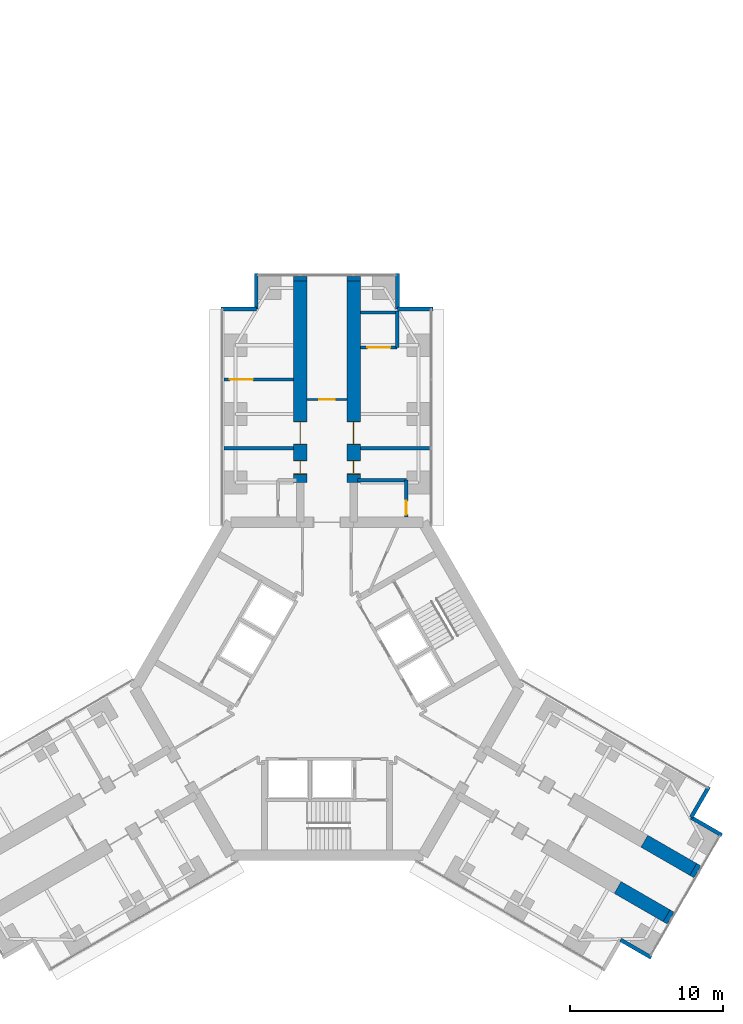
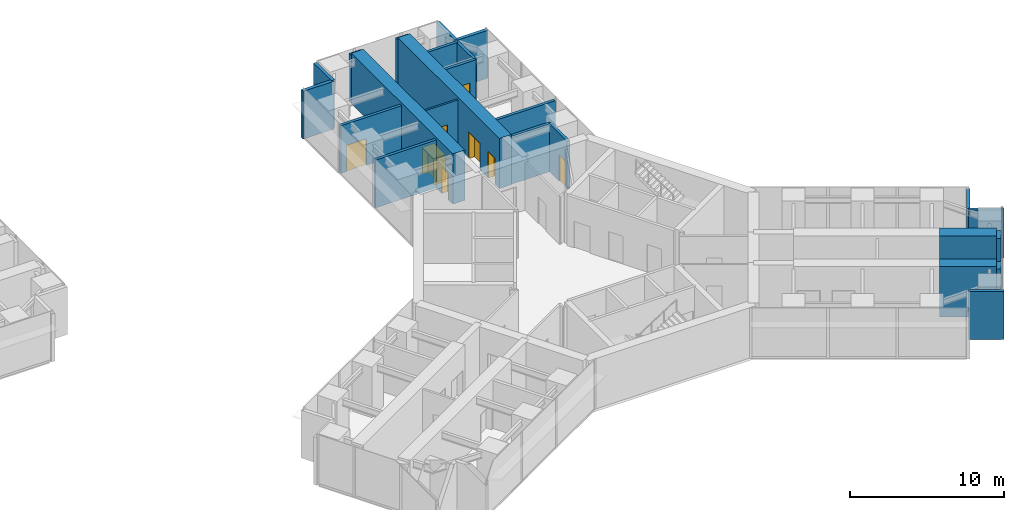
# One storey, part 21 of 23: 24 walls, 8 doors, 8 openings.
"""IFC4 building model written with IfcOpenShell, lengths in metres."""

from ifc_helpers import new_model, si_unit, direction, frame, frame_2d, origin, place, context, subcontext, project, spatial, rectangle, extrude, material, layer, layer_set, type_object, element, fill, save


model = new_model("IFC4")

# Units and contexts
model_context = context("Model", 3, precision=1e-05, world=origin(), true_north=direction((0.0, 1.0)))
body_context = subcontext(model_context, "Body", "Model", "MODEL_VIEW")
ifc_project = project(units=[si_unit("LENGTHUNIT", "METRE"), si_unit("AREAUNIT", "SQUARE_METRE"), si_unit("VOLUMEUNIT", "CUBIC_METRE"), si_unit("PLANEANGLEUNIT", "RADIAN"), si_unit("MASSUNIT", "GRAM", prefix="KILO")], contexts=[model_context])

# Site, building, storey
site_placement = place(None, origin())
site = spatial("IfcSite", under=ifc_project, at=site_placement, CompositionType="ELEMENT")
building_placement = place(site_placement, origin())
building = spatial("IfcBuilding", under=site, at=building_placement, Name="Upepo Twin Towers", CompositionType="ELEMENT")
storey_placement = place(building_placement, frame((0.0, 0.0, 32.5)))
storey = spatial("IfcBuildingStorey", under=building, at=storey_placement, Name="L07", CompositionType="ELEMENT", Elevation=32.5)

# Wall
ifc_material_1 = material(Name="Concrete blockwork, plastered both faces", Category="masonry")
ifc_layer_1 = layer(ifc_material_1, 0.215087890625)
ifc_layer_set_1 = layer_set([ifc_layer_1], Name="Blockwork partition 215")
wall_type_1 = type_object("IfcWallType", Name="Blockwork partition 215", PredefinedType="PARTITIONING", material=ifc_layer_set_1)
wall_1_placement = place(storey_placement, frame((56.300048828125, -2.25, 0.0), z_axis=(0.0, 0.0, 1.0), x_axis=(-1.0, 0.0, 0.0)))
element("IfcWall", 1, at=wall_1_placement, inside=storey, type_object=wall_type_1, Name="T2 partition AL at 15.75", PredefinedType="PARTITIONING", context=body_context, shape_type="SweptSolid", body=[
    extrude(rectangle(XDim=4.550048828125, YDim=0.215087890625, at=frame_2d((2.27490234375, 0.0))), origin(), (0.0, 0.0, 1.0), 3.800048828125),
])

# Wall, opening, door
wall_2_placement = place(storey_placement, frame((56.300048828125, 2.25, 0.0), z_axis=(0.0, 0.0, 1.0), x_axis=(-1.0, 0.0, 0.0)))
wall_2 = element("IfcWall", 2, at=wall_2_placement, inside=storey, type_object=wall_type_1, Name="T2 partition AL at 20.25", PredefinedType="PARTITIONING", context=body_context, shape_type="SweptSolid", body=[
    extrude(rectangle(XDim=4.550048828125, YDim=0.215087890625, at=frame_2d((2.27490234375, 0.0))), origin(), (0.0, 0.0, 1.0), 3.800048828125),
])
opening_1_placement = place(wall_2_placement, frame((2.64990234375, 0.0, 0.0)))
opening_1 = element("IfcOpeningElement", 3, at=opening_1_placement, cuts=wall_2, Name="Opening D13", PredefinedType="OPENING", context=body_context, shape_type="SweptSolid", body=[
    extrude(rectangle(XDim=1.5, YDim=2.10009765625, at=frame_2d((0.75, 1.050048828125))), frame((0.0, 0.117431640625, 0.0), z_axis=(0.0, -1.0, 0.0), x_axis=(1.0, 0.0, 0.0)), (0.0, 0.0, 1.0), 0.235107421875),
])
ifc_material_2 = material(Name="Timber doorset", Category="wood")
door_type_1 = type_object("IfcDoorType", Name="Double door 1500 FD30", OperationType="DOUBLE_DOOR_SINGLE_SWING", PredefinedType="DOOR", material=ifc_material_2)
door_1_placement = place(opening_1_placement, origin())
door_1 = element("IfcDoor", 4, at=door_1_placement, inside=storey, type_object=door_type_1, Name="T2 L07 connecting door", OperationType="DOUBLE_DOOR_SINGLE_SWING", OverallHeight=2.10009765625, OverallWidth=1.5, PredefinedType="DOOR", context=body_context, shape_type="SweptSolid", body=[
    extrude(rectangle(XDim=1.5, YDim=2.10009765625, at=frame_2d((0.75, 1.050048828125))), frame((0.0, 0.02490234375, 0.0), z_axis=(0.0, -1.0, 0.0), x_axis=(1.0, 0.0, 0.0)), (0.0, 0.0, 1.0), 0.050048828125),
])
fill(opening_1, door_1)

# Walls
wall_3_placement = place(storey_placement, frame((60.699951171875, -2.25, 0.0), z_axis=(0.0, 0.0, 1.0), x_axis=(1.0, 0.0, 0.0)))
element("IfcWall", 5, at=wall_3_placement, inside=storey, type_object=wall_type_1, Name="T2 partition AR at 15.75", PredefinedType="PARTITIONING", context=body_context, shape_type="SweptSolid", body=[
    extrude(rectangle(XDim=4.550048828125, YDim=0.215087890625, at=frame_2d((2.27490234375, 0.0))), origin(), (0.0, 0.0, 1.0), 3.800048828125),
])
wall_4_placement = place(storey_placement, frame((63.10009765625, 4.35009765625, 0.0), z_axis=(0.0, 0.0, 1.0), x_axis=(0.0, 1.0, 0.0)))
element("IfcWall", 6, at=wall_4_placement, inside=storey, type_object=wall_type_1, Name="T2 inner room partition AR at 22.35", PredefinedType="PARTITIONING", context=body_context, shape_type="SweptSolid", body=[
    extrude(rectangle(XDim=2.39990234375, YDim=0.215087890625, at=frame_2d((1.199951171875, 0.0))), origin(), (0.0, 0.0, 1.0), 3.800048828125),
])

# Wall, opening, door
wall_5_placement = place(storey_placement, frame((60.699951171875, 4.35009765625, 0.0), z_axis=(0.0, 0.0, 1.0), x_axis=(1.0, 0.0, 0.0)))
wall_5 = element("IfcWall", 7, at=wall_5_placement, inside=storey, type_object=wall_type_1, Name="T2 inner room partition AR end at 22.35", PredefinedType="PARTITIONING", context=body_context, shape_type="SweptSolid", body=[
    extrude(rectangle(XDim=2.400146484375, YDim=0.215087890625, at=frame_2d((1.2001953125, 0.0))), origin(), (0.0, 0.0, 1.0), 3.800048828125),
])
opening_2_placement = place(wall_5_placement, frame((0.449951171875, 0.0, 0.0)))
opening_2 = element("IfcOpeningElement", 8, at=opening_2_placement, cuts=wall_5, Name="Opening D13", PredefinedType="OPENING", context=body_context, shape_type="SweptSolid", body=[
    extrude(rectangle(XDim=1.5, YDim=2.10009765625, at=frame_2d((0.75, 1.050048828125))), frame((0.0, 0.117431640625, 0.0), z_axis=(0.0, -1.0, 0.0), x_axis=(1.0, 0.0, 0.0)), (0.0, 0.0, 1.0), 0.235107421875),
])
door_2_placement = place(opening_2_placement, origin())
door_2 = element("IfcDoor", 9, at=door_2_placement, inside=storey, type_object=door_type_1, Name="T2 L07 inner room door", OperationType="DOUBLE_DOOR_SINGLE_SWING", OverallHeight=2.10009765625, OverallWidth=1.5, PredefinedType="DOOR", context=body_context, shape_type="SweptSolid", body=[
    extrude(rectangle(XDim=1.5, YDim=2.10009765625, at=frame_2d((0.75, 1.050048828125))), frame((0.0, 0.02490234375, 0.0), z_axis=(0.0, -1.0, 0.0), x_axis=(1.0, 0.0, 0.0)), (0.0, 0.0, 1.0), 0.050048828125),
])
fill(opening_2, door_2)

# Wall
wall_6_placement = place(storey_placement, frame((60.699951171875, 6.642578125, 0.0), z_axis=(0.0, 0.0, 1.0), x_axis=(1.0, 0.0, 0.0)))
element("IfcWall", 10, at=wall_6_placement, inside=storey, type_object=wall_type_1, Name="T2 inner room partition AR end at 24.75", PredefinedType="PARTITIONING", context=body_context, shape_type="SweptSolid", body=[
    extrude(rectangle(XDim=2.400146484375, YDim=0.215087890625, at=frame_2d((1.2001953125, 0.0))), origin(), (0.0, 0.0, 1.0), 3.800048828125),
])

# Wall, opening, door
wall_7_placement = place(storey_placement, frame((63.699951171875, -6.741943359375, 0.0), z_axis=(0.0, 0.0, 1.0), x_axis=(0.0, 1.0, 0.0)))
wall_7 = element("IfcWall", 11, at=wall_7_placement, inside=storey, type_object=wall_type_1, Name="T2 WC bay partition AR at 11.26", PredefinedType="PARTITIONING", context=body_context, shape_type="SweptSolid", body=[
    extrude(rectangle(XDim=2.39990234375, YDim=0.215087890625, at=frame_2d((1.199951171875, 0.0))), origin(), (0.0, 0.0, 1.0), 3.800048828125),
])
opening_3_placement = place(wall_7_placement, frame((0.14990234375, 0.0, 0.0)))
opening_3 = element("IfcOpeningElement", 12, at=opening_3_placement, cuts=wall_7, Name="Opening D14", PredefinedType="OPENING", context=body_context, shape_type="SweptSolid", body=[
    extrude(rectangle(XDim=0.89990234375, YDim=2.10009765625, at=frame_2d((0.449951171875, 1.050048828125))), frame((0.0, 0.117431640625, 0.0), z_axis=(0.0, -1.0, 0.0), x_axis=(1.0, 0.0, 0.0)), (0.0, 0.0, 1.0), 0.235107421875),
])
ifc_material_3 = material(Name="Timber doorset", Category="wood")
door_type_2 = type_object("IfcDoorType", Name="Office door 900 FD30", OperationType="SINGLE_SWING_LEFT", PredefinedType="DOOR", material=ifc_material_3)
door_3_placement = place(opening_3_placement, origin())
door_3 = element("IfcDoor", 13, at=door_3_placement, inside=storey, type_object=door_type_2, Name="T2 L07 WC bay inner room door", OperationType="SINGLE_SWING_LEFT", OverallHeight=2.10009765625, OverallWidth=0.89990234375, PredefinedType="DOOR", context=body_context, shape_type="SweptSolid", body=[
    extrude(rectangle(XDim=0.89990234375, YDim=2.10009765625, at=frame_2d((0.449951171875, 1.050048828125))), frame((0.0, 0.02490234375, 0.0), z_axis=(0.0, -1.0, 0.0), x_axis=(1.0, 0.0, 0.0)), (0.0, 0.0, 1.0), 0.050048828125),
])
fill(opening_3, door_3)

# Walls
wall_8_placement = place(storey_placement, frame((60.5, -4.342041015625, 0.0), z_axis=(0.0, 0.0, 1.0), x_axis=(1.0, 0.0, 0.0)))
element("IfcWall", 14, at=wall_8_placement, inside=storey, type_object=wall_type_1, Name="T2 WC bay partition AR end at 13.66", PredefinedType="PARTITIONING", context=body_context, shape_type="SweptSolid", body=[
    extrude(rectangle(XDim=3.199951171875, YDim=0.215087890625, at=frame_2d((1.60009765625, 0.0))), origin(), (0.0, 0.0, 1.0), 3.800048828125),
])
ifc_material_4 = material(Name="Dense concrete blockwork", Category="masonry")
ifc_layer_2 = layer(ifc_material_4, 0.89990234375)
ifc_layer_set_2 = layer_set([ifc_layer_2], Name="Buttress closer 900, blockwork with fire-stopping to the curtain wall")
wall_type_2 = type_object("IfcWallType", Name="Buttress closer 900, blockwork with fire-stopping to the curtain wall", PredefinedType="PARTITIONING", material=ifc_layer_set_2)
for number, where, z_axis, x_axis, name in (
    (15, (56.75, 8.699951171875, 0.0), (0.0, 0.0, 1.0), (0.0, 1.0, 0.0), "T2 L07 wing A buttress closer L"),
    (16, (60.25, 8.699951171875, 0.0), (0.0, 0.0, 1.0), (0.0, 1.0, 0.0), "T2 L07 wing A buttress closer R"),
    (17, (82.497802734375, -29.83447265625, 0.0), (0.0, 0.0, 1.0), (0.866054481515, -0.499949632511, 0.0), "T2 L07 wing C buttress closer L"),
    (18, (80.747802734375, -32.865478515625, 0.0), (0.0, 0.0, 1.0), (0.866054481515, -0.499949632511, 0.0), "T2 L07 wing C buttress closer R"),
):
    element("IfcWall", number, at=place(storey_placement, frame(where, z_axis=z_axis, x_axis=x_axis)), inside=storey, type_object=wall_type_2, Name=name, PredefinedType="PARTITIONING", context=body_context, shape_type="SweptSolid", body=[
        extrude(rectangle(XDim=0.31005859375, YDim=0.89990234375, at=frame_2d((0.155029296875, 0.0))), origin(), (0.0, 0.0, 1.0), 3.800048828125),
    ])

# Wall, openings, doors
ifc_material_5 = material(Name="Concrete C60/75", Category="concrete")
ifc_layer_3 = layer(ifc_material_5, 0.89990234375)
ifc_layer_set_3 = layer_set([ifc_layer_3], Name="Concrete C60/75")
wall_type_3 = type_object("IfcWallType", Name="Buttress wall 900 RC", PredefinedType="SHEAR", material=ifc_layer_set_3)
wall_9_placement = place(storey_placement, frame((56.75, -4.5, 0.0), z_axis=(0.0, 0.0, 1.0), x_axis=(0.0, 1.0, 0.0)))
wall_9 = element("IfcWall", 19, at=wall_9_placement, inside=storey, type_object=wall_type_3, Name="T2 wing A buttress wall L part 2", PredefinedType="SHEAR", context=body_context, shape_type="SweptSolid", body=[
    extrude(rectangle(XDim=13.199951171875, YDim=0.89990234375, at=frame_2d((6.60009765625, 0.0))), origin(), (0.0, 0.0, 1.0), 4.0),
])
opening_4_placement = place(wall_9_placement, frame((0.550048828125, 0.0, 0.0)))
opening_4 = element("IfcOpeningElement", 20, at=opening_4_placement, cuts=wall_9, Name="Opening D11", PredefinedType="OPENING", context=body_context, shape_type="SweptSolid", body=[
    extrude(rectangle(XDim=0.89990234375, YDim=2.10009765625, at=frame_2d((0.449951171875, 1.050048828125))), frame((0.0, 0.4599609375, 0.0), z_axis=(0.0, -1.0, 0.0), x_axis=(1.0, 0.0, 0.0)), (0.0, 0.0, 1.0), 0.919921875),
])
opening_5_placement = place(wall_9_placement, frame((2.5, 0.0, 0.0)))
opening_5 = element("IfcOpeningElement", 21, at=opening_5_placement, cuts=wall_9, Name="Opening D13", PredefinedType="OPENING", context=body_context, shape_type="SweptSolid", body=[
    extrude(rectangle(XDim=1.5, YDim=2.10009765625, at=frame_2d((0.75, 1.050048828125))), frame((0.0, 0.4599609375, 0.0), z_axis=(0.0, -1.0, 0.0), x_axis=(1.0, 0.0, 0.0)), (0.0, 0.0, 1.0), 0.919921875),
])
door_4_placement = place(opening_5_placement, origin())
door_4 = element("IfcDoor", 22, at=door_4_placement, inside=storey, type_object=door_type_1, Name="T2 L07 tutorial room door", OperationType="DOUBLE_DOOR_SINGLE_SWING", OverallHeight=2.10009765625, OverallWidth=1.5, PredefinedType="DOOR", context=body_context, shape_type="SweptSolid", body=[
    extrude(rectangle(XDim=1.42, YDim=2.06009765625, at=frame_2d((0.75, 1.030029296875))), frame((0.0, 0.02490234375, 0.0), z_axis=(0.0, -1.0, 0.0), x_axis=(1.0, 0.0, 0.0)), (0.0, 0.0, 1.0), 0.050048828125),
    extrude(rectangle(XDim=0.04, YDim=2.10009765625, at=frame_2d((0.02001953125, 1.050048828125))), frame((0.0, 0.44970703125, 0.0), z_axis=(0.0, -1.0, 0.0), x_axis=(1.0, 0.0, 0.0)), (0.0, 0.0, 1.0), 0.8994140625),
    extrude(rectangle(XDim=0.04, YDim=2.10009765625, at=frame_2d((1.47998046875, 1.050048828125))), frame((0.0, 0.44970703125, 0.0), z_axis=(0.0, -1.0, 0.0), x_axis=(1.0, 0.0, 0.0)), (0.0, 0.0, 1.0), 0.8994140625),
    extrude(rectangle(XDim=1.42, YDim=0.04, at=frame_2d((0.75, 2.080078125))), frame((0.0, 0.44970703125, 0.0), z_axis=(0.0, -1.0, 0.0), x_axis=(1.0, 0.0, 0.0)), (0.0, 0.0, 1.0), 0.8994140625),
])
fill(opening_5, door_4)
ifc_material_6 = material(Name="Timber doorset", Category="wood")
door_type_3 = type_object("IfcDoorType", Name="Toilet door 900", OperationType="SINGLE_SWING_LEFT", PredefinedType="DOOR", material=ifc_material_6)
door_5_placement = place(opening_4_placement, origin())
door_5 = element("IfcDoor", 23, at=door_5_placement, inside=storey, type_object=door_type_3, Name="T2 L07 toilets door", OperationType="SINGLE_SWING_LEFT", OverallHeight=2.10009765625, OverallWidth=0.89990234375, PredefinedType="DOOR", context=body_context, shape_type="SweptSolid", body=[
    extrude(rectangle(XDim=0.81990234375, YDim=2.06009765625, at=frame_2d((0.449951171875, 1.030029296875))), frame((0.0, 0.02490234375, 0.0), z_axis=(0.0, -1.0, 0.0), x_axis=(1.0, 0.0, 0.0)), (0.0, 0.0, 1.0), 0.050048828125),
    extrude(rectangle(XDim=0.04, YDim=2.10009765625, at=frame_2d((0.02001953125, 1.050048828125))), frame((0.0, 0.44970703125, 0.0), z_axis=(0.0, -1.0, 0.0), x_axis=(1.0, 0.0, 0.0)), (0.0, 0.0, 1.0), 0.8994140625),
    extrude(rectangle(XDim=0.04, YDim=2.10009765625, at=frame_2d((0.8798828125, 1.050048828125))), frame((0.0, 0.44970703125, 0.0), z_axis=(0.0, -1.0, 0.0), x_axis=(1.0, 0.0, 0.0)), (0.0, 0.0, 1.0), 0.8994140625),
    extrude(rectangle(XDim=0.81990234375, YDim=0.04, at=frame_2d((0.449951171875, 2.080078125))), frame((0.0, 0.44970703125, 0.0), z_axis=(0.0, -1.0, 0.0), x_axis=(1.0, 0.0, 0.0)), (0.0, 0.0, 1.0), 0.8994140625),
])
fill(opening_4, door_5)

wall_10_placement = place(storey_placement, frame((60.25, -4.5, 0.0), z_axis=(0.0, 0.0, 1.0), x_axis=(0.0, 1.0, 0.0)))
wall_10 = element("IfcWall", 24, at=wall_10_placement, inside=storey, type_object=wall_type_3, Name="T2 wing A buttress wall R part 2", PredefinedType="SHEAR", context=body_context, shape_type="SweptSolid", body=[
    extrude(rectangle(XDim=13.199951171875, YDim=0.89990234375, at=frame_2d((6.60009765625, 0.0))), origin(), (0.0, 0.0, 1.0), 4.0),
])
opening_6_placement = place(wall_10_placement, frame((0.550048828125, 0.0, 0.0)))
opening_6 = element("IfcOpeningElement", 25, at=opening_6_placement, cuts=wall_10, Name="Opening D11", PredefinedType="OPENING", context=body_context, shape_type="SweptSolid", body=[
    extrude(rectangle(XDim=0.89990234375, YDim=2.10009765625, at=frame_2d((0.449951171875, 1.050048828125))), frame((0.0, 0.4599609375, 0.0), z_axis=(0.0, -1.0, 0.0), x_axis=(1.0, 0.0, 0.0)), (0.0, 0.0, 1.0), 0.919921875),
])
opening_7_placement = place(wall_10_placement, frame((2.5, 0.0, 0.0)))
opening_7 = element("IfcOpeningElement", 26, at=opening_7_placement, cuts=wall_10, Name="Opening D13", PredefinedType="OPENING", context=body_context, shape_type="SweptSolid", body=[
    extrude(rectangle(XDim=1.5, YDim=2.10009765625, at=frame_2d((0.75, 1.050048828125))), frame((0.0, 0.4599609375, 0.0), z_axis=(0.0, -1.0, 0.0), x_axis=(1.0, 0.0, 0.0)), (0.0, 0.0, 1.0), 0.919921875),
])
door_6_placement = place(opening_7_placement, origin())
door_6 = element("IfcDoor", 27, at=door_6_placement, inside=storey, type_object=door_type_1, Name="T2 L07 lecture room door", OperationType="DOUBLE_DOOR_SINGLE_SWING", OverallHeight=2.10009765625, OverallWidth=1.5, PredefinedType="DOOR", context=body_context, shape_type="SweptSolid", body=[
    extrude(rectangle(XDim=1.42, YDim=2.06009765625, at=frame_2d((0.75, 1.030029296875))), frame((0.0, 0.02490234375, 0.0), z_axis=(0.0, -1.0, 0.0), x_axis=(1.0, 0.0, 0.0)), (0.0, 0.0, 1.0), 0.050048828125),
    extrude(rectangle(XDim=0.04, YDim=2.10009765625, at=frame_2d((0.02001953125, 1.050048828125))), frame((0.0, 0.44970703125, 0.0), z_axis=(0.0, -1.0, 0.0), x_axis=(1.0, 0.0, 0.0)), (0.0, 0.0, 1.0), 0.8994140625),
    extrude(rectangle(XDim=0.04, YDim=2.10009765625, at=frame_2d((1.47998046875, 1.050048828125))), frame((0.0, 0.44970703125, 0.0), z_axis=(0.0, -1.0, 0.0), x_axis=(1.0, 0.0, 0.0)), (0.0, 0.0, 1.0), 0.8994140625),
    extrude(rectangle(XDim=1.42, YDim=0.04, at=frame_2d((0.75, 2.080078125))), frame((0.0, 0.44970703125, 0.0), z_axis=(0.0, -1.0, 0.0), x_axis=(1.0, 0.0, 0.0)), (0.0, 0.0, 1.0), 0.8994140625),
])
fill(opening_7, door_6)
door_7_placement = place(opening_6_placement, origin())
door_7 = element("IfcDoor", 28, at=door_7_placement, inside=storey, type_object=door_type_3, Name="T2 L07 accessible wc door", OperationType="SINGLE_SWING_LEFT", OverallHeight=2.10009765625, OverallWidth=0.89990234375, PredefinedType="DOOR", context=body_context, shape_type="SweptSolid", body=[
    extrude(rectangle(XDim=0.81990234375, YDim=2.06009765625, at=frame_2d((0.449951171875, 1.030029296875))), frame((0.0, 0.02490234375, 0.0), z_axis=(0.0, -1.0, 0.0), x_axis=(1.0, 0.0, 0.0)), (0.0, 0.0, 1.0), 0.050048828125),
    extrude(rectangle(XDim=0.04, YDim=2.10009765625, at=frame_2d((0.02001953125, 1.050048828125))), frame((0.0, 0.44970703125, 0.0), z_axis=(0.0, -1.0, 0.0), x_axis=(1.0, 0.0, 0.0)), (0.0, 0.0, 1.0), 0.8994140625),
    extrude(rectangle(XDim=0.04, YDim=2.10009765625, at=frame_2d((0.8798828125, 1.050048828125))), frame((0.0, 0.44970703125, 0.0), z_axis=(0.0, -1.0, 0.0), x_axis=(1.0, 0.0, 0.0)), (0.0, 0.0, 1.0), 0.8994140625),
    extrude(rectangle(XDim=0.81990234375, YDim=0.04, at=frame_2d((0.449951171875, 2.080078125))), frame((0.0, 0.44970703125, 0.0), z_axis=(0.0, -1.0, 0.0), x_axis=(1.0, 0.0, 0.0)), (0.0, 0.0, 1.0), 0.8994140625),
])
fill(opening_6, door_7)

# Walls
wall_11_placement = place(storey_placement, frame((79.293701171875, -27.984375, 0.0), z_axis=(0.0, 0.0, 1.0), x_axis=(0.866000971088, -0.500042316284, 0.0)))
element("IfcWall", 29, at=wall_11_placement, inside=storey, type_object=wall_type_3, Name="T2 wing C buttress wall L part 3", PredefinedType="SHEAR", context=body_context, shape_type="SweptSolid", body=[
    extrude(rectangle(XDim=3.699951171875, YDim=0.89990234375, at=frame_2d((1.85009765625, 0.0))), origin(), (0.0, 0.0, 1.0), 4.0),
])
wall_12_placement = place(storey_placement, frame((77.543701171875, -31.015625, 0.0), z_axis=(0.0, 0.0, 1.0), x_axis=(0.866029545028, -0.499992827086, 0.0)))
element("IfcWall", 30, at=wall_12_placement, inside=storey, type_object=wall_type_3, Name="T2 wing C buttress wall R part 3", PredefinedType="SHEAR", context=body_context, shape_type="SweptSolid", body=[
    extrude(rectangle(XDim=3.69970703125, YDim=0.89990234375, at=frame_2d((1.849853515625, 0.0))), origin(), (0.0, 0.0, 1.0), 4.0),
])
ifc_material_7 = material(Name="Blockwork with anodised aluminium cladding", Category="masonry")
ifc_layer_4 = layer(ifc_material_7, 0.25)
ifc_layer_set_4 = layer_set([ifc_layer_4], Name="Notch cladding wall 250, pale metal")
wall_type_4 = type_object("IfcWallType", Name="Notch cladding wall 250, pale metal", PredefinedType="STANDARD", material=ifc_layer_set_4)
for number, where, z_axis, x_axis, name in (
    (31, (51.550048828125, 6.875, 0.0), (0.0, 0.0, 1.0), (1.0, 0.0, 0.0), "T2 L07 wing A notch wall L1"),
    (32, (53.875, 6.875, 0.0), (0.0, 0.0, 1.0), (0.0, 1.0, 0.0), "T2 L07 wing A notch wall L2"),
    (33, (65.449951171875, 6.875, 0.0), (0.0, 0.0, 1.0), (-1.0, 0.0, 0.0), "T2 L07 wing A notch wall R1"),
    (34, (63.125, 6.875, 0.0), (0.0, 0.0, 1.0), (0.0, 1.0, 0.0), "T2 L07 wing A notch wall R2"),
    (35, (83.517333984375, -24.418701171875, 0.0), (0.0, 0.0, 1.0), (-0.499967891604, -0.866043940782, 0.0), "T2 L07 wing C notch wall L1"),
    (36, (82.35498046875, -26.43212890625, 0.0), (0.0, 0.0, 1.0), (0.865998469481, -0.500046648681, 0.0), "T2 L07 wing C notch wall L2"),
    (37, (77.72998046875, -34.44287109375, 0.0), (0.0, 0.0, 1.0), (0.865998469481, -0.500046648681, 0.0), "T2 L07 wing C notch wall R2"),
):
    element("IfcWall", number, at=place(storey_placement, frame(where, z_axis=z_axis, x_axis=x_axis)), inside=storey, type_object=wall_type_4, Name=name, PredefinedType="STANDARD", context=body_context, shape_type="SweptSolid", body=[
        extrude(rectangle(XDim=2.324951171875, YDim=0.25, at=frame_2d((1.16259765625, 0.0))), origin(), (0.0, 0.0, 1.0), 3.800048828125),
    ])

# Wall, opening, door
ifc_material_8 = material(Name="Gypsum board on steel studs", Category="steel")
ifc_layer_5 = layer(ifc_material_8, 0.14990234375)
ifc_layer_set_5 = layer_set([ifc_layer_5], Name="Teaching partition 150 acoustic")
wall_type_5 = type_object("IfcWallType", Name="Teaching partition 150 acoustic", PredefinedType="PARTITIONING", material=ifc_layer_set_5)
wall_13_placement = place(storey_placement, frame((59.800048828125, 0.949951171875, 0.0), z_axis=(0.0, 0.0, 1.0), x_axis=(-1.0, 0.0, 0.0)))
wall_13 = element("IfcWall", 38, at=wall_13_placement, inside=storey, type_object=wall_type_5, Name="T2 corridor end partition A at 18.95", PredefinedType="PARTITIONING", context=body_context, shape_type="SweptSolid", body=[
    extrude(rectangle(XDim=2.60009765625, YDim=0.14990234375, at=frame_2d((1.300048828125, 0.0))), origin(), (0.0, 0.0, 1.0), 3.800048828125),
])
opening_8_placement = place(wall_13_placement, frame((0.800048828125, 0.0, 0.0)))
opening_8 = element("IfcOpeningElement", 39, at=opening_8_placement, cuts=wall_13, Name="Opening D1", PredefinedType="OPENING", context=body_context, shape_type="SweptSolid", body=[
    extrude(rectangle(XDim=1.0, YDim=2.10009765625, at=frame_2d((0.5, 1.050048828125))), frame((0.0, 0.0849609375, 0.0), z_axis=(0.0, -1.0, 0.0), x_axis=(1.0, 0.0, 0.0)), (0.0, 0.0, 1.0), 0.169921875),
])
ifc_material_9 = material(Name="Timber doorset", Category="wood")
door_type_4 = type_object("IfcDoorType", Name="Room door 1000 FD30", OperationType="SINGLE_SWING_LEFT", PredefinedType="DOOR", material=ifc_material_9)
door_8_placement = place(opening_8_placement, origin())
door_8 = element("IfcDoor", 40, at=door_8_placement, inside=storey, type_object=door_type_4, Name="T2 L07 breakout study room door", OperationType="SINGLE_SWING_LEFT", OverallHeight=2.10009765625, OverallWidth=1.0, PredefinedType="DOOR", context=body_context, shape_type="SweptSolid", body=[
    extrude(rectangle(XDim=1.0, YDim=2.10009765625, at=frame_2d((0.5, 1.050048828125))), frame((0.0, 0.02490234375, 0.0), z_axis=(0.0, -1.0, 0.0), x_axis=(1.0, 0.0, 0.0)), (0.0, 0.0, 1.0), 0.050048828125),
])
fill(opening_8, door_8)

save(model, "model.ifc")
